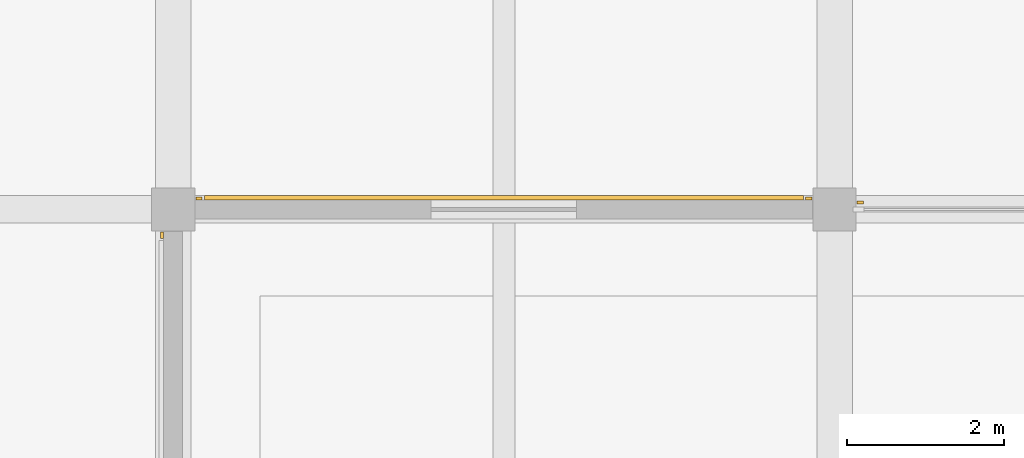
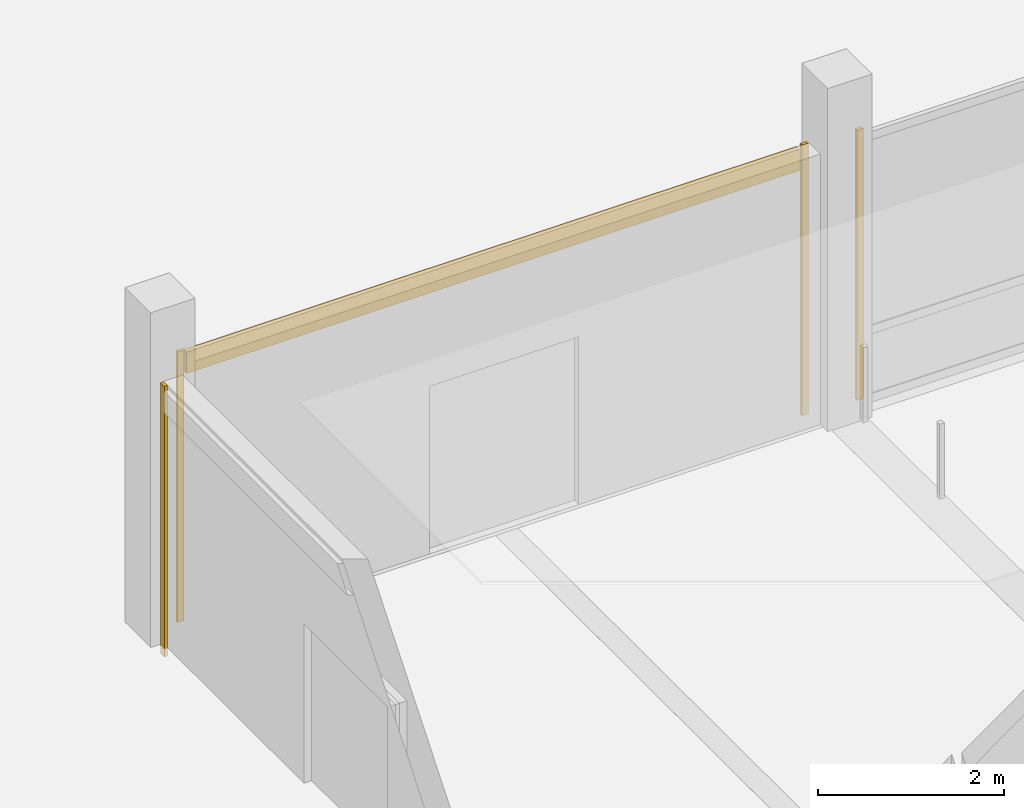
# One storey, part 46 of 59: 5 coverings.
"""IFC4 building model written with IfcOpenShell, lengths in metres."""

from ifc_helpers import new_model, si_unit, direction, frame, origin, origin_2d, place, context, subcontext, project, spatial, rectangle, extrude, material, layer, layer_set, type_object, element, save


model = new_model("IFC4")

# Units and contexts
model_context = context("Model", 3, precision=1e-05, world=origin(), true_north=direction((0.0, 1.0)))
body_context = subcontext(model_context, "Body", "Model", "MODEL_VIEW")
ifc_project = project(units=[si_unit("LENGTHUNIT", "METRE"), si_unit("AREAUNIT", "SQUARE_METRE"), si_unit("VOLUMEUNIT", "CUBIC_METRE"), si_unit("PLANEANGLEUNIT", "RADIAN"), si_unit("MASSUNIT", "GRAM", prefix="KILO")], contexts=[model_context])

# Site, building, storey
site_placement = place(None, origin())
site = spatial("IfcSite", under=ifc_project, at=site_placement, CompositionType="ELEMENT")
building_placement = place(site_placement, origin())
building = spatial("IfcBuilding", under=site, at=building_placement, Name="Telukmera Botanical Conservatory", CompositionType="ELEMENT")
storey_placement = place(building_placement, frame((0.0, 0.0, 15.0)))
storey = spatial("IfcBuildingStorey", under=building, at=storey_placement, Name="L03", CompositionType="ELEMENT", Elevation=15.0)

# Coverings
ifc_material_1 = material(Name="Granite-faced precast concrete C40/50", Category="masonry")
ifc_layer_1 = layer(ifc_material_1, 0.0400390625)
ifc_layer_set_1 = layer_set([ifc_layer_1], Name="Granite-faced precast concrete C40/50")
covering_type_1 = type_object("IfcCoveringType", Name="Granite Precast Column Pier Reveal Casing", PredefinedType="CLADDING", material=ifc_layer_set_1)
for number, where, z_axis, x_axis, name in (
    (1, (25.527099609375, 42.93994140625, 0.0), (0.0, 0.0, 1.0), (1.0, 0.0, 0.0), "Granite Pier Reveal V3:L03:N1 L"),
    (2, (33.27294921875, 42.93994140625, 0.0), (0.0, 0.0, 1.0), (1.0, 0.0, 0.0), "Granite Pier Reveal V3:L03:N1 R"),
    (3, (33.927001953125, 42.889892578125, 0.0), (0.0, 0.0, 1.0), (1.0, 0.0, 0.0), "Granite Pier Reveal V3:L03:N2 L"),
    (4, (25.06005859375, 42.472900390625, 0.0), (0.0, 0.0, 1.0), (0.0, 1.0, 0.0), "Granite Pier Reveal V3:L03:W2 R"),
):
    element("IfcCovering", number, at=place(storey_placement, frame(where, z_axis=z_axis, x_axis=x_axis)), inside=storey, type_object=covering_type_1, Name=name, PredefinedType="CLADDING", context=body_context, shape_type="SweptSolid", body=[
        extrude(rectangle(XDim=0.080078125, YDim=0.0400390625, at=origin_2d()), origin(), (0.0, 0.0, 1.0), 3.550048828125),
    ])
ifc_material_2 = material(Name="Terracotta-faced precast concrete C40/50", Category="masonry")
ifc_layer_2 = layer(ifc_material_2, 0.06005859375)
ifc_layer_set_2 = layer_set([ifc_layer_2], Name="Terracotta-faced precast concrete C40/50")
covering_type_2 = type_object("IfcCoveringType", Name="Polychrome Terracotta Facade Band Cladding", PredefinedType="CLADDING", material=ifc_layer_set_2)
covering_placement = place(storey_placement, frame((29.39990234375, 42.949951171875, 3.22998046875), z_axis=(0.0, 0.0, 1.0), x_axis=(1.0, 0.0, 0.0)))
element("IfcCovering", 5, at=covering_placement, inside=storey, type_object=covering_type_2, Name="Polychrome Terracotta Band V3:L03:N1", PredefinedType="CLADDING", context=body_context, shape_type="SweptSolid", body=[
    extrude(rectangle(XDim=7.60595703125, YDim=0.06005859375, at=origin_2d()), origin(), (0.0, 0.0, 1.0), 0.280029296875),
])

save(model, "model.ifc")
